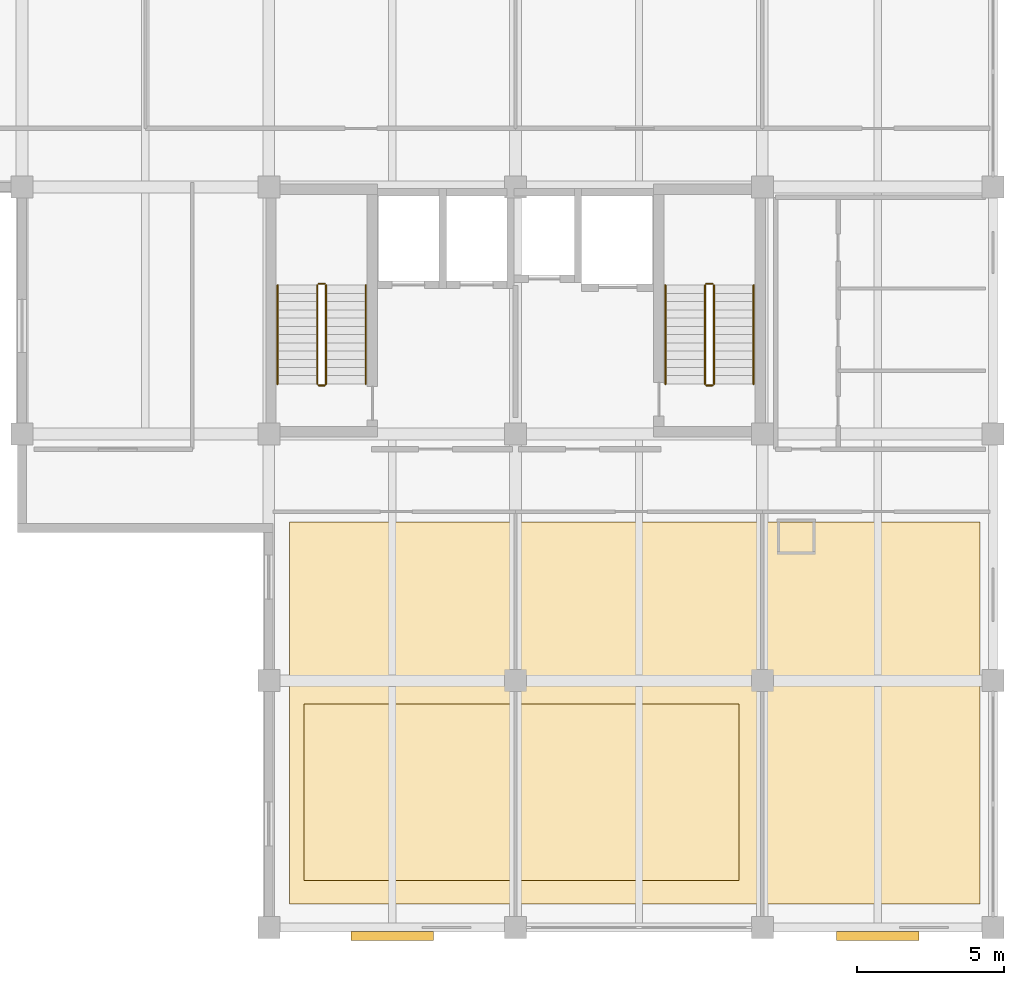
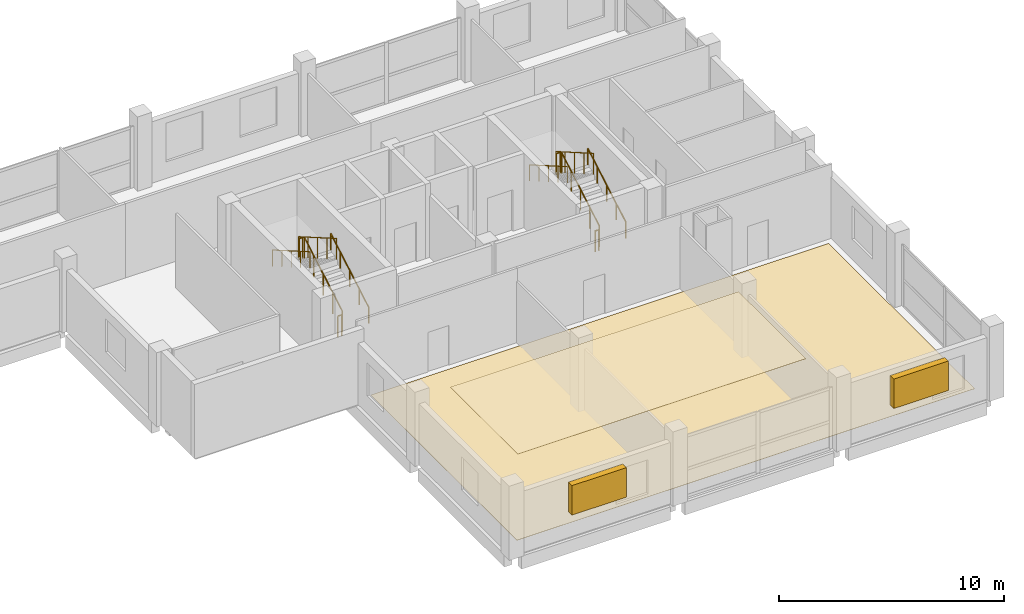
# One storey, part 9 of 9: 12 railings, 2 coverings, 2 shading devices.
"""IFC4 building model written with IfcOpenShell, lengths in metres."""

from ifc_helpers import new_model, si_unit, direction, frame, origin, origin_2d, place, context, subcontext, project, spatial, polyline, rectangle, circle, outline, extrude, material, layer, layer_set, type_object, element, save


model = new_model("IFC4")

# Units and contexts
model_context = context("Model", 3, precision=1e-05, world=origin(), true_north=direction((0.0, 1.0)))
body_context = subcontext(model_context, "Body", "Model", "MODEL_VIEW")
ifc_project = project(units=[si_unit("LENGTHUNIT", "METRE"), si_unit("AREAUNIT", "SQUARE_METRE"), si_unit("VOLUMEUNIT", "CUBIC_METRE"), si_unit("PLANEANGLEUNIT", "RADIAN"), si_unit("MASSUNIT", "GRAM", prefix="KILO")], contexts=[model_context])

# Site, building, storey
site_placement = place(None, origin())
site = spatial("IfcSite", under=ifc_project, at=site_placement, CompositionType="ELEMENT")
building_placement = place(site_placement, origin())
building = spatial("IfcBuilding", under=site, at=building_placement, Name="Brinegate Botanical Conservatory", CompositionType="ELEMENT")
storey_placement = place(building_placement, frame((0.0, 0.0, 52.800048828125)))
storey = spatial("IfcBuildingStorey", under=building, at=storey_placement, Name="L13", CompositionType="ELEMENT", Elevation=52.800048828125)

# Coverings
ifc_material_1 = material(Name="Moisture-resistant acoustic mineral-fibre ceiling board", Category="gypsum")
ifc_layer_1 = layer(ifc_material_1, 0.02001953125, Name="Moisture-resistant acoustic mineral-fibre ceiling board", Category="gypsum")
ifc_layer_set_1 = layer_set([ifc_layer_1], Name="Moisture-resistant acoustic mineral-fibre ceiling board")
covering_type_1 = type_object("IfcCoveringType", Name="Cov_CLG-LAB", PredefinedType="CEILING", material=ifc_layer_set_1)
covering_1_placement = place(storey_placement, frame((0.0, 0.0, 4.010009765625)))
element("IfcCovering", 1, at=covering_1_placement, inside=storey, type_object=covering_type_1, Name="Laboratory acoustic mineral-fibre ceiling L13", PredefinedType="CEILING", context=body_context, shape_type="SweptSolid", body=[
    extrude(outline(polyline([(140.0, 80.0), (154.800048828125, 80.0), (154.800048828125, 86.0), (140.0, 86.0), (140.0, 80.0)])), origin(), (0.0, 0.0, 1.0), 0.02001953125),
])
ifc_material_2 = material(Name="Seamless chemical-resistant terrazzo and epoxy flooring", Category="concrete")
ifc_layer_2 = layer(ifc_material_2, 0.014892578125, Name="Seamless chemical-resistant terrazzo and epoxy flooring", Category="concrete")
ifc_layer_set_2 = layer_set([ifc_layer_2], Name="Seamless chemical-resistant terrazzo and epoxy flooring")
covering_type_2 = type_object("IfcCoveringType", Name="Cov_FLR-LAB", PredefinedType="FLOORING", material=ifc_layer_set_2)
covering_2_placement = place(storey_placement, origin())
element("IfcCovering", 2, at=covering_2_placement, inside=storey, type_object=covering_type_2, Name="Laboratory seamless terrazzo floor finish L13", PredefinedType="FLOORING", context=body_context, shape_type="SweptSolid", body=[
    extrude(outline(polyline([(139.5, 79.199951171875), (163.0, 79.199951171875), (163.0, 92.199951171875), (139.5, 92.199951171875), (139.5, 79.199951171875)])), origin(), (0.0, 0.0, 1.0), 0.014892578125),
])

# Railings
ifc_material_3 = material(Name="Structural steel Q355B / S355 painted tubular guardrail", Category="steel")
railing_type_1 = type_object("IfcRailingType", Name="Rail_ST-GRD", PredefinedType="GUARDRAIL", material=ifc_material_3)
railing_1_placement = place(storey_placement, frame((140.75, 96.89990234375, 0.161376953125)))
element("IfcRailing", 3, at=railing_1_placement, inside=storey, type_object=railing_type_1, Name="L13 ST1 stair guard 1", PredefinedType="GUARDRAIL", context=body_context, shape_type="SweptSolid", body=[
    extrude(circle(Radius=0.02392578125, at=origin_2d()), frame((0.0, 0.0, 1.1259765625), z_axis=(0.0, 0.866190824863, 0.499713372768), x_axis=(-1.0, 0.0, 0.0)), (0.0, 0.0, 1.0), 3.879150390625),
    extrude(circle(Radius=0.02099609375, at=origin_2d()), origin(), (0.0, 0.0, 1.0), 1.101806640625),
    extrude(circle(Radius=0.02099609375, at=origin_2d()), frame((0.0, 0.840087890625, 0.484619140625)), (0.0, 0.0, 1.0), 1.101806640625),
    extrude(circle(Radius=0.02099609375, at=origin_2d()), frame((0.0, 1.68017578125, 0.96923828125)), (0.0, 0.0, 1.0), 1.101806640625),
    extrude(circle(Radius=0.02099609375, at=origin_2d()), frame((0.0, 2.52001953125, 1.453857421875)), (0.0, 0.0, 1.0), 1.101806640625),
    extrude(circle(Radius=0.02099609375, at=origin_2d()), frame((0.0, 3.360107421875, 1.9384765625)), (0.0, 0.0, 1.0), 1.101806640625),
])
railing_2_placement = place(storey_placement, frame((140.699951171875, 100.31005859375, 2.099853515625)))
element("IfcRailing", 4, at=railing_2_placement, inside=storey, type_object=railing_type_1, Name="L13 ST1 stair guard 2", PredefinedType="GUARDRAIL", context=body_context, shape_type="SweptSolid", body=[
    extrude(circle(Radius=0.02392578125, at=origin_2d()), frame((0.0, 0.0, 1.1259765625), z_axis=(-1.0, 0.0, 0.0), x_axis=(0.0, -1.0, 0.0)), (0.0, 0.0, 1.0), 0.199951171875),
    extrude(circle(Radius=0.02099609375, at=origin_2d()), origin(), (0.0, 0.0, 1.0), 1.101806640625),
    extrude(circle(Radius=0.02099609375, at=origin_2d()), frame((-0.199951171875, 0.0, 0.0)), (0.0, 0.0, 1.0), 1.101806640625),
])
railing_3_placement = place(storey_placement, frame((140.449951171875, 100.260009765625, 2.261474609375)))
element("IfcRailing", 5, at=railing_3_placement, inside=storey, type_object=railing_type_1, Name="L13 ST1 stair guard 3", PredefinedType="GUARDRAIL", context=body_context, shape_type="SweptSolid", body=[
    extrude(circle(Radius=0.02392578125, at=origin_2d()), frame((0.0, 0.0, 1.1259765625), z_axis=(0.0, -0.866190824863, 0.499713372768), x_axis=(1.0, 0.0, 0.0)), (0.0, 0.0, 1.0), 3.879150390625),
    extrude(circle(Radius=0.02099609375, at=origin_2d()), origin(), (0.0, 0.0, 1.0), 1.101806640625),
    extrude(circle(Radius=0.02099609375, at=origin_2d()), frame((0.0, -0.840087890625, 0.484619140625)), (0.0, 0.0, 1.0), 1.101806640625),
    extrude(circle(Radius=0.02099609375, at=origin_2d()), frame((0.0, -1.68017578125, 0.96923828125)), (0.0, 0.0, 1.0), 1.101806640625),
    extrude(circle(Radius=0.02099609375, at=origin_2d()), frame((0.0, -2.52001953125, 1.453857421875)), (0.0, 0.0, 1.0), 1.101806640625),
    extrude(circle(Radius=0.02099609375, at=origin_2d()), frame((0.0, -3.360107421875, 1.9384765625)), (0.0, 0.0, 1.0), 1.101806640625),
])
railing_4_placement = place(storey_placement, frame((140.699951171875, 96.85009765625, 0.0)))
element("IfcRailing", 6, at=railing_4_placement, inside=storey, type_object=railing_type_1, Name="L13 ST1 stair guard 4", PredefinedType="GUARDRAIL", context=body_context, shape_type="SweptSolid", body=[
    extrude(circle(Radius=0.02392578125, at=origin_2d()), frame((0.0, 0.0, 1.1259765625), z_axis=(-1.0, 0.0, 0.0), x_axis=(0.0, -1.0, 0.0)), (0.0, 0.0, 1.0), 0.199951171875),
    extrude(circle(Radius=0.02099609375, at=origin_2d()), origin(), (0.0, 0.0, 1.0), 1.101806640625),
    extrude(circle(Radius=0.02099609375, at=origin_2d()), frame((-0.199951171875, 0.0, 0.0)), (0.0, 0.0, 1.0), 1.101806640625),
])
railing_5_placement = place(storey_placement, frame((153.949951171875, 96.89990234375, 0.161376953125)))
element("IfcRailing", 7, at=railing_5_placement, inside=storey, type_object=railing_type_1, Name="L13 ST2 stair guard 1", PredefinedType="GUARDRAIL", context=body_context, shape_type="SweptSolid", body=[
    extrude(circle(Radius=0.02392578125, at=origin_2d()), frame((0.0, 0.0, 1.1259765625), z_axis=(0.0, 0.866190824863, 0.499713372768), x_axis=(-1.0, 0.0, 0.0)), (0.0, 0.0, 1.0), 3.879150390625),
    extrude(circle(Radius=0.02099609375, at=origin_2d()), origin(), (0.0, 0.0, 1.0), 1.101806640625),
    extrude(circle(Radius=0.02099609375, at=origin_2d()), frame((0.0, 0.840087890625, 0.484619140625)), (0.0, 0.0, 1.0), 1.101806640625),
    extrude(circle(Radius=0.02099609375, at=origin_2d()), frame((0.0, 1.68017578125, 0.96923828125)), (0.0, 0.0, 1.0), 1.101806640625),
    extrude(circle(Radius=0.02099609375, at=origin_2d()), frame((0.0, 2.52001953125, 1.453857421875)), (0.0, 0.0, 1.0), 1.101806640625),
    extrude(circle(Radius=0.02099609375, at=origin_2d()), frame((0.0, 3.360107421875, 1.9384765625)), (0.0, 0.0, 1.0), 1.101806640625),
])
railing_6_placement = place(storey_placement, frame((153.89990234375, 100.31005859375, 2.099853515625)))
element("IfcRailing", 8, at=railing_6_placement, inside=storey, type_object=railing_type_1, Name="L13 ST2 stair guard 2", PredefinedType="GUARDRAIL", context=body_context, shape_type="SweptSolid", body=[
    extrude(circle(Radius=0.02392578125, at=origin_2d()), frame((0.0, 0.0, 1.1259765625), z_axis=(-1.0, 0.0, 0.0), x_axis=(0.0, -1.0, 0.0)), (0.0, 0.0, 1.0), 0.199951171875),
    extrude(circle(Radius=0.02099609375, at=origin_2d()), origin(), (0.0, 0.0, 1.0), 1.101806640625),
    extrude(circle(Radius=0.02099609375, at=origin_2d()), frame((-0.199951171875, 0.0, 0.0)), (0.0, 0.0, 1.0), 1.101806640625),
])
railing_7_placement = place(storey_placement, frame((153.64990234375, 100.260009765625, 2.261474609375)))
element("IfcRailing", 9, at=railing_7_placement, inside=storey, type_object=railing_type_1, Name="L13 ST2 stair guard 3", PredefinedType="GUARDRAIL", context=body_context, shape_type="SweptSolid", body=[
    extrude(circle(Radius=0.02392578125, at=origin_2d()), frame((0.0, 0.0, 1.1259765625), z_axis=(0.0, -0.866190824863, 0.499713372768), x_axis=(1.0, 0.0, 0.0)), (0.0, 0.0, 1.0), 3.879150390625),
    extrude(circle(Radius=0.02099609375, at=origin_2d()), origin(), (0.0, 0.0, 1.0), 1.101806640625),
    extrude(circle(Radius=0.02099609375, at=origin_2d()), frame((0.0, -0.840087890625, 0.484619140625)), (0.0, 0.0, 1.0), 1.101806640625),
    extrude(circle(Radius=0.02099609375, at=origin_2d()), frame((0.0, -1.68017578125, 0.96923828125)), (0.0, 0.0, 1.0), 1.101806640625),
    extrude(circle(Radius=0.02099609375, at=origin_2d()), frame((0.0, -2.52001953125, 1.453857421875)), (0.0, 0.0, 1.0), 1.101806640625),
    extrude(circle(Radius=0.02099609375, at=origin_2d()), frame((0.0, -3.360107421875, 1.9384765625)), (0.0, 0.0, 1.0), 1.101806640625),
])
railing_8_placement = place(storey_placement, frame((153.89990234375, 96.85009765625, 0.0)))
element("IfcRailing", 10, at=railing_8_placement, inside=storey, type_object=railing_type_1, Name="L13 ST2 stair guard 4", PredefinedType="GUARDRAIL", context=body_context, shape_type="SweptSolid", body=[
    extrude(circle(Radius=0.02392578125, at=origin_2d()), frame((0.0, 0.0, 1.1259765625), z_axis=(-1.0, 0.0, 0.0), x_axis=(0.0, -1.0, 0.0)), (0.0, 0.0, 1.0), 0.199951171875),
    extrude(circle(Radius=0.02099609375, at=origin_2d()), origin(), (0.0, 0.0, 1.0), 1.101806640625),
    extrude(circle(Radius=0.02099609375, at=origin_2d()), frame((-0.199951171875, 0.0, 0.0)), (0.0, 0.0, 1.0), 1.101806640625),
])
ifc_material_4 = material(Name="Brushed stainless steel S355 handrail", Category="steel")
railing_type_2 = type_object("IfcRailingType", Name="Rail_ST-HND", PredefinedType="HANDRAIL", material=ifc_material_4)
railing_9_placement = place(storey_placement, frame((142.10009765625, 96.89990234375, 0.161376953125)))
element("IfcRailing", 11, at=railing_9_placement, inside=storey, type_object=railing_type_2, Name="L13 ST1 stair handrail 1", PredefinedType="HANDRAIL", context=body_context, shape_type="SweptSolid", body=[
    extrude(circle(Radius=0.02392578125, at=origin_2d()), frame((0.0, 0.0, 0.8759765625), z_axis=(0.0, 0.866190824863, 0.499713372768), x_axis=(-1.0, 0.0, 0.0)), (0.0, 0.0, 1.0), 3.879150390625),
    extrude(circle(Radius=0.02099609375, at=origin_2d()), origin(), (0.0, 0.0, 1.0), 0.851806640625),
    extrude(circle(Radius=0.02099609375, at=origin_2d()), frame((0.0, 0.840087890625, 0.484619140625)), (0.0, 0.0, 1.0), 0.851806640625),
    extrude(circle(Radius=0.02099609375, at=origin_2d()), frame((0.0, 1.68017578125, 0.96923828125)), (0.0, 0.0, 1.0), 0.851806640625),
    extrude(circle(Radius=0.02099609375, at=origin_2d()), frame((0.0, 2.52001953125, 1.453857421875)), (0.0, 0.0, 1.0), 0.851806640625),
    extrude(circle(Radius=0.02099609375, at=origin_2d()), frame((0.0, 3.360107421875, 1.9384765625)), (0.0, 0.0, 1.0), 0.851806640625),
])
railing_10_placement = place(storey_placement, frame((139.10009765625, 100.260009765625, 2.261474609375)))
element("IfcRailing", 12, at=railing_10_placement, inside=storey, type_object=railing_type_2, Name="L13 ST1 stair handrail 2", PredefinedType="HANDRAIL", context=body_context, shape_type="SweptSolid", body=[
    extrude(circle(Radius=0.02392578125, at=origin_2d()), frame((0.0, 0.0, 0.8759765625), z_axis=(0.0, -0.866190824863, 0.499713372768), x_axis=(1.0, 0.0, 0.0)), (0.0, 0.0, 1.0), 3.879150390625),
    extrude(circle(Radius=0.02099609375, at=origin_2d()), origin(), (0.0, 0.0, 1.0), 0.851806640625),
    extrude(circle(Radius=0.02099609375, at=origin_2d()), frame((0.0, -0.840087890625, 0.484619140625)), (0.0, 0.0, 1.0), 0.851806640625),
    extrude(circle(Radius=0.02099609375, at=origin_2d()), frame((0.0, -1.68017578125, 0.96923828125)), (0.0, 0.0, 1.0), 0.851806640625),
    extrude(circle(Radius=0.02099609375, at=origin_2d()), frame((0.0, -2.52001953125, 1.453857421875)), (0.0, 0.0, 1.0), 0.851806640625),
    extrude(circle(Radius=0.02099609375, at=origin_2d()), frame((0.0, -3.360107421875, 1.9384765625)), (0.0, 0.0, 1.0), 0.851806640625),
])
railing_11_placement = place(storey_placement, frame((155.300048828125, 96.89990234375, 0.161376953125)))
element("IfcRailing", 13, at=railing_11_placement, inside=storey, type_object=railing_type_2, Name="L13 ST2 stair handrail 1", PredefinedType="HANDRAIL", context=body_context, shape_type="SweptSolid", body=[
    extrude(circle(Radius=0.02392578125, at=origin_2d()), frame((0.0, 0.0, 0.8759765625), z_axis=(0.0, 0.866190824863, 0.499713372768), x_axis=(-1.0, 0.0, 0.0)), (0.0, 0.0, 1.0), 3.879150390625),
    extrude(circle(Radius=0.02099609375, at=origin_2d()), origin(), (0.0, 0.0, 1.0), 0.851806640625),
    extrude(circle(Radius=0.02099609375, at=origin_2d()), frame((0.0, 0.840087890625, 0.484619140625)), (0.0, 0.0, 1.0), 0.851806640625),
    extrude(circle(Radius=0.02099609375, at=origin_2d()), frame((0.0, 1.68017578125, 0.96923828125)), (0.0, 0.0, 1.0), 0.851806640625),
    extrude(circle(Radius=0.02099609375, at=origin_2d()), frame((0.0, 2.52001953125, 1.453857421875)), (0.0, 0.0, 1.0), 0.851806640625),
    extrude(circle(Radius=0.02099609375, at=origin_2d()), frame((0.0, 3.360107421875, 1.9384765625)), (0.0, 0.0, 1.0), 0.851806640625),
])
railing_12_placement = place(storey_placement, frame((152.300048828125, 100.260009765625, 2.261474609375)))
element("IfcRailing", 14, at=railing_12_placement, inside=storey, type_object=railing_type_2, Name="L13 ST2 stair handrail 2", PredefinedType="HANDRAIL", context=body_context, shape_type="SweptSolid", body=[
    extrude(circle(Radius=0.02392578125, at=origin_2d()), frame((0.0, 0.0, 0.8759765625), z_axis=(0.0, -0.866190824863, 0.499713372768), x_axis=(1.0, 0.0, 0.0)), (0.0, 0.0, 1.0), 3.879150390625),
    extrude(circle(Radius=0.02099609375, at=origin_2d()), origin(), (0.0, 0.0, 1.0), 0.851806640625),
    extrude(circle(Radius=0.02099609375, at=origin_2d()), frame((0.0, -0.840087890625, 0.484619140625)), (0.0, 0.0, 1.0), 0.851806640625),
    extrude(circle(Radius=0.02099609375, at=origin_2d()), frame((0.0, -1.68017578125, 0.96923828125)), (0.0, 0.0, 1.0), 0.851806640625),
    extrude(circle(Radius=0.02099609375, at=origin_2d()), frame((0.0, -2.52001953125, 1.453857421875)), (0.0, 0.0, 1.0), 0.851806640625),
    extrude(circle(Radius=0.02099609375, at=origin_2d()), frame((0.0, -3.360107421875, 1.9384765625)), (0.0, 0.0, 1.0), 0.851806640625),
])

# Shading devices
ifc_material_5 = material(Name="Anodised aluminium AW-6063-T6 solar-storm fin bank", Category="aluminium")
shading_device_type = type_object("IfcShadingDeviceType", Name="Shade_SLV-02", PredefinedType="JALOUSIE", material=ifc_material_5)
for number, where, z_axis, x_axis, name in (
    (15, (143.0, 78.110107421875, 1.39990234375), (0.0, 0.0, 1.0), (1.0, 0.0, 0.0), "Research lab south storm louvre L13.1"),
    (16, (159.52490234375, 78.110107421875, 1.39990234375), (0.0, 0.0, 1.0), (1.0, 0.0, 0.0), "Research lab south storm louvre L13.3"),
):
    element("IfcShadingDevice", number, at=place(storey_placement, frame(where, z_axis=z_axis, x_axis=x_axis)), inside=storey, type_object=shading_device_type, Name=name, PredefinedType="JALOUSIE", context=body_context, shape_type="SweptSolid", body=[
        extrude(rectangle(XDim=2.800048828125, YDim=0.320068359375, at=origin_2d()), origin(), (0.0, 0.0, 1.0), 1.60009765625),
    ])

save(model, "model.ifc")
